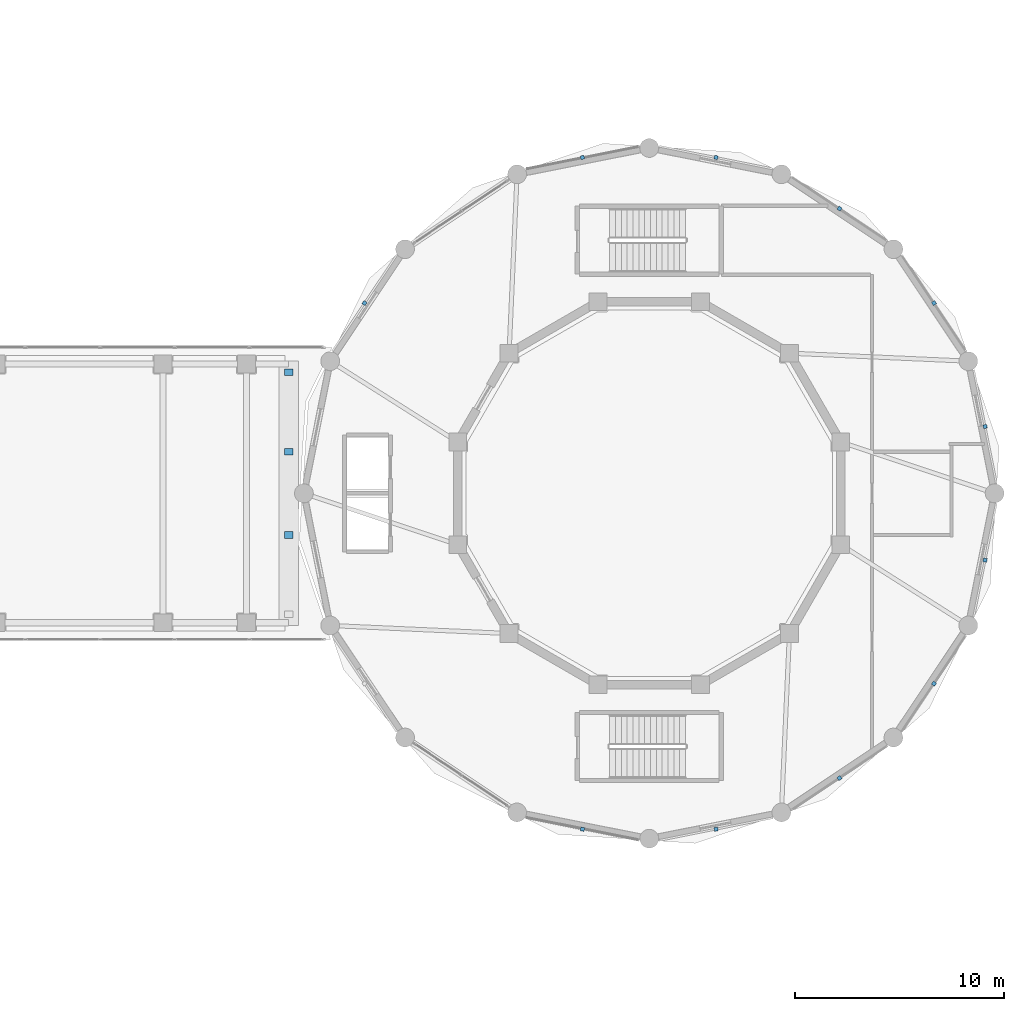
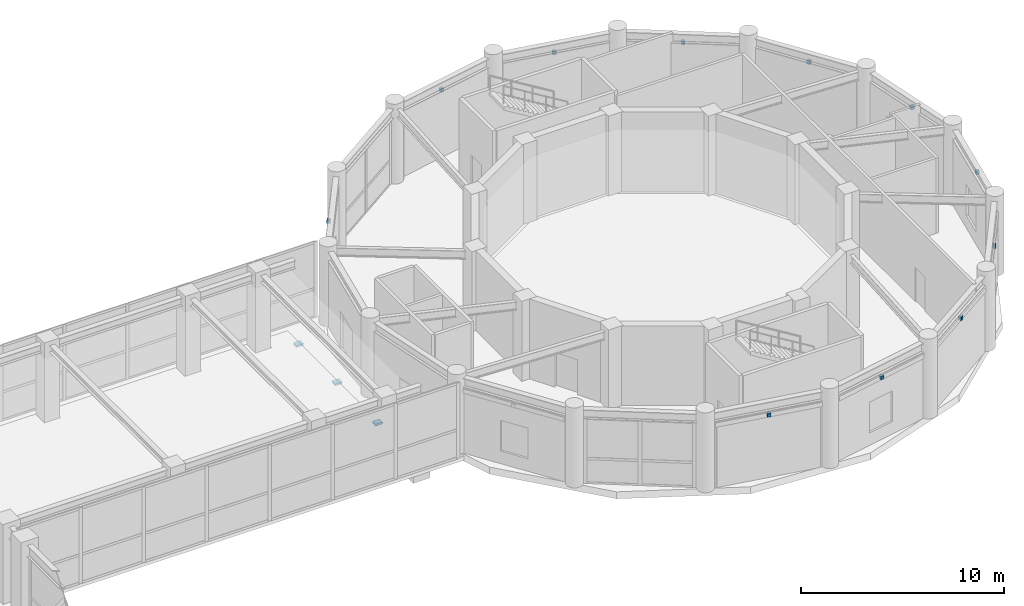
# One storey, part 41 of 48: 14 discrete accessories.
"""IFC4 building model written with IfcOpenShell, lengths in metres."""

from ifc_helpers import new_model, si_unit, derived_unit, direction, frame, origin, origin_2d, place, context, subcontext, project, spatial, rectangle, extrude, source, transform, mapped, material, type_object, element, save


model = new_model("IFC4")

# Units and contexts
model_context = context("Model", 3, precision=1e-05, world=origin(), true_north=direction((0.0, 1.0)))
body_context = subcontext(model_context, "Body", "Model", "MODEL_VIEW")
ifc_project = project(units=[si_unit("LENGTHUNIT", "METRE"), si_unit("AREAUNIT", "SQUARE_METRE"), si_unit("VOLUMEUNIT", "CUBIC_METRE"), si_unit("PLANEANGLEUNIT", "RADIAN"), si_unit("MASSUNIT", "GRAM", prefix="KILO"), derived_unit("THERMALTRANSMITTANCEUNIT", [(si_unit("POWERUNIT", "WATT"), 1), (si_unit("LENGTHUNIT", "METRE"), -2), (si_unit("THERMODYNAMICTEMPERATUREUNIT", "KELVIN"), -1)])], contexts=[model_context])

# Site, building, storey
site_placement = place(None, origin())
site = spatial("IfcSite", under=ifc_project, at=site_placement, CompositionType="ELEMENT")
building_placement = place(site_placement, origin())
building = spatial("IfcBuilding", under=site, at=building_placement, Name="Korsvarv Bourse and Concert Hall", CompositionType="ELEMENT")
storey_placement = place(building_placement, frame((0.0, 0.0, 4.800048828125)))
storey = spatial("IfcBuildingStorey", under=building, at=storey_placement, Name="L01", CompositionType="ELEMENT", Elevation=4.800048828125)

# Discrete accessories
ifc_material_1 = material(Name="Steel S355 and PTFE bearing", Category="steel")
discrete_accessory_type_1 = type_object("IfcDiscreteAccessoryType", Name="ACC-PTFE", PredefinedType="USERDEFINED", material=ifc_material_1)
shared_shape_1 = source(origin(), body_context, "Body", "SweptSolid", [
    extrude(rectangle(XDim=0.39990234375, YDim=0.320068359375, at=origin_2d()), origin(), (0.0, 0.0, 1.0), 0.1201171875),
])
for number, where, z_axis, x_axis, name in (
    (1, (89.52001953125, 34.0, -0.380126953125), (0.0, 0.0, 1.0), (1.0, 0.0, 0.0), "L01 link gallery PTFE sliding bearing 2"),
    (2, (89.52001953125, 38.0, -0.380126953125), (0.0, 0.0, 1.0), (1.0, 0.0, 0.0), "L01 link gallery PTFE sliding bearing 3"),
    (3, (89.52001953125, 41.800048828125, -0.380126953125), (0.0, 0.0, 1.0), (1.0, 0.0, 0.0), "L01 link gallery PTFE sliding bearing 4"),
):
    element("IfcDiscreteAccessory", number, at=place(storey_placement, frame(where, z_axis=z_axis, x_axis=x_axis)), inside=storey, type_object=discrete_accessory_type_1, Name=name, ObjectType="SLIDING BEARING", PredefinedType="USERDEFINED", context=body_context, shape_type="MappedRepresentation", body=[
        mapped(shared_shape_1, transform((0.0, 0.0, 0.0), scale=1.0)),
    ])
ifc_material_2 = material(Name="Stainless Steel S355 facade outrigger bracket", Category="steel")
discrete_accessory_type_2 = type_object("IfcDiscreteAccessoryType", Name="ACC-BRK-1", PredefinedType="BRACKET", material=ifc_material_2)
shared_shape_2 = source(origin(), body_context, "Body", "SweptSolid", [
    extrude(rectangle(XDim=0.179931640625, YDim=0.179931640625, at=origin_2d()), origin(), (0.0, 0.0, 1.0), 0.199951171875),
])
for number, where, z_axis, x_axis, name in (
    (4, (122.896484375, 39.201904296875, 3.68994140625), (0.0, 0.0, 1.0), (-0.195090322016, 0.980785280403, 0.0), "L01 terracotta sunshade bracket EW-L01-CHD01"),
    (5, (120.446044921875, 45.117919921875, 3.68994140625), (0.0, 0.0, 1.0), (-0.55557023302, 0.831469612303, 0.0), "L01 terracotta sunshade bracket EW-L01-CHD02"),
    (6, (115.91796875, 49.64599609375, 3.68994140625), (0.0, 0.0, 1.0), (-0.831469612303, 0.55557023302, 0.0), "L01 terracotta sunshade bracket EW-L01-CHD03"),
    (7, (110.001708984375, 52.0966796875, 3.68994140625), (0.0, 0.0, 1.0), (-0.980785280403, 0.195090322016, 0.0), "L01 terracotta sunshade bracket EW-L01-CHD04"),
    (8, (103.59814453125, 52.0966796875, 3.68994140625), (0.0, 0.0, 1.0), (-0.980785280403, -0.195090322016, 0.0), "L01 terracotta sunshade bracket EW-L01-CHD05"),
    (9, (93.15380859375, 45.117919921875, 3.68994140625), (0.0, 0.0, 1.0), (-0.55557023302, -0.831469612303, 0.0), "L01 terracotta sunshade bracket EW-L01-CHD07"),
    (10, (103.59814453125, 19.9033203125, 3.68994140625), (0.0, 0.0, 1.0), (0.980785280403, -0.195090322016, 0.0), "L01 terracotta sunshade bracket EW-L01-CHD12"),
    (11, (110.001708984375, 19.9033203125, 3.68994140625), (0.0, 0.0, 1.0), (0.980785280403, 0.195090322016, 0.0), "L01 terracotta sunshade bracket EW-L01-CHD13"),
    (12, (115.91796875, 22.35400390625, 3.68994140625), (0.0, 0.0, 1.0), (0.831469612303, 0.55557023302, 0.0), "L01 terracotta sunshade bracket EW-L01-CHD14"),
    (13, (120.446044921875, 26.882080078125, 3.68994140625), (0.0, 0.0, 1.0), (0.55557023302, 0.831469612303, 0.0), "L01 terracotta sunshade bracket EW-L01-CHD15"),
    (14, (122.896484375, 32.798095703125, 3.68994140625), (0.0, 0.0, 1.0), (0.195090322016, 0.980785280403, 0.0), "L01 terracotta sunshade bracket EW-L01-CHD16"),
):
    element("IfcDiscreteAccessory", number, at=place(storey_placement, frame(where, z_axis=z_axis, x_axis=x_axis)), inside=storey, type_object=discrete_accessory_type_2, Name=name, PredefinedType="BRACKET", context=body_context, shape_type="MappedRepresentation", body=[
        mapped(shared_shape_2, transform((0.0, 0.0, 0.0), scale=1.0)),
    ])

save(model, "model.ifc")
